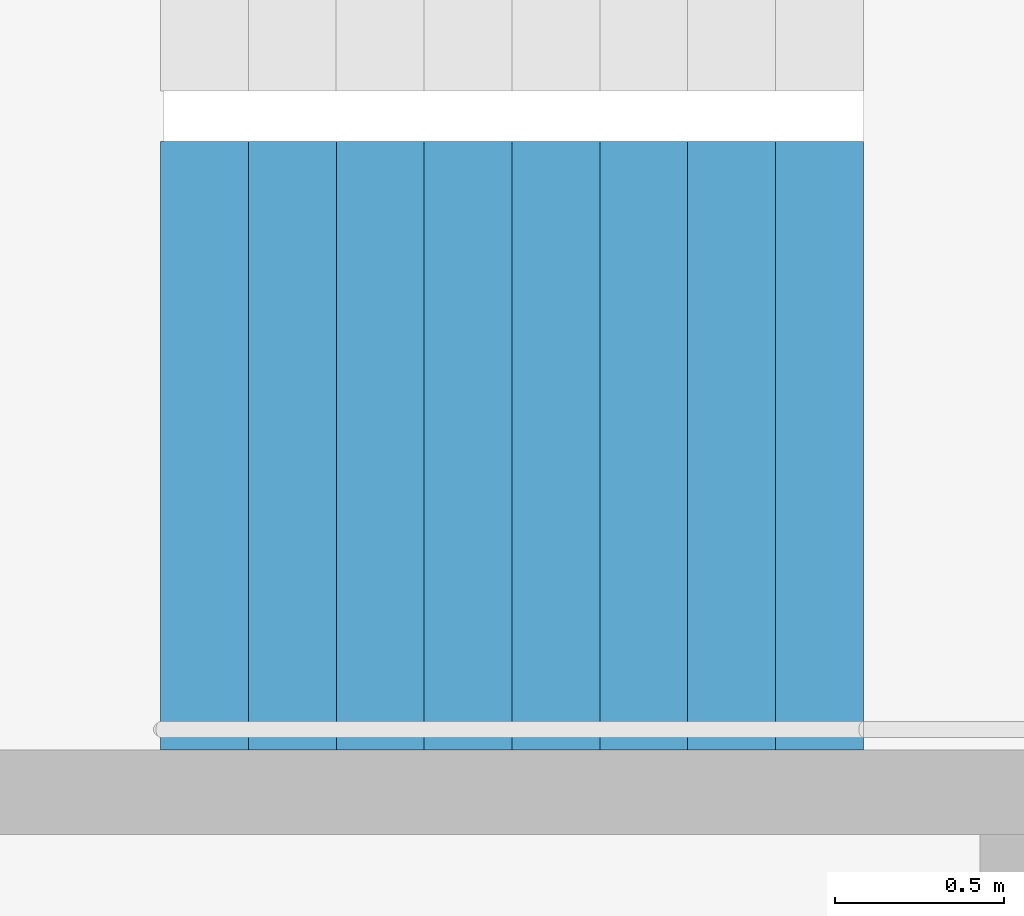
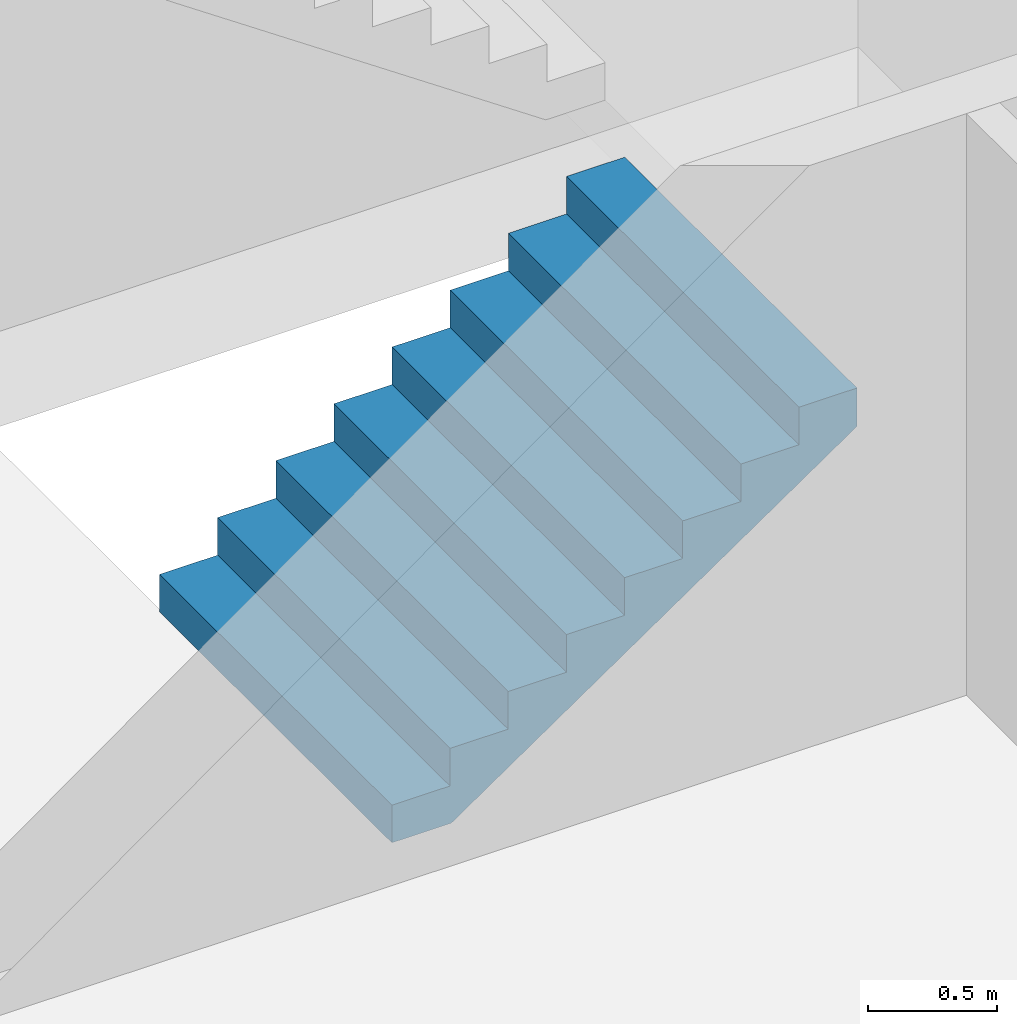
# One storey, part 21 of 27: 1 stair flight, 1 element without a shape of its own.
"""IFC4 building model written with IfcOpenShell, lengths in metres."""

from ifc_helpers import new_model, si_unit, direction, frame, origin, place, context, subcontext, project, spatial, triangles, material, type_object, element, aggregate, save


model = new_model("IFC4")

# Units and contexts
model_context = context("Model", 3, precision=1e-05, world=origin(), true_north=direction((0.0, 1.0)))
body_context = subcontext(model_context, "Body", "Model", "MODEL_VIEW")
ifc_project = project(units=[si_unit("LENGTHUNIT", "METRE"), si_unit("AREAUNIT", "SQUARE_METRE"), si_unit("VOLUMEUNIT", "CUBIC_METRE"), si_unit("PLANEANGLEUNIT", "RADIAN"), si_unit("MASSUNIT", "GRAM", prefix="KILO")], contexts=[model_context])

# Site, building, storey
site_placement = place(None, origin())
site = spatial("IfcSite", under=ifc_project, at=site_placement, CompositionType="ELEMENT")
building_placement = place(site_placement, origin())
building = spatial("IfcBuilding", under=site, at=building_placement, Name="Hakoniwa Tower and Hamabe Station Hall", CompositionType="ELEMENT")
storey_placement = place(building_placement, frame((0.0, 0.0, 242.199951171875)))
storey = spatial("IfcBuildingStorey", under=building, at=storey_placement, Name="L68", CompositionType="ELEMENT", Elevation=242.199951171875)

# Stair, stair flight
ifc_material_1 = material(Name="Concrete C40", Category="concrete")
stair_type = type_object("IfcStairType", Name="ESCAPE STAIR 1800", PredefinedType="HALF_TURN_STAIR", material=ifc_material_1)
stair_placement = place(storey_placement, origin())
stair = element("IfcStair", 1, at=stair_placement, inside=storey, type_object=stair_type, Name="Escape stair ST-1 L68", PredefinedType="HALF_TURN_STAIR")
ifc_material_2 = material(Name="Concrete C40", Category="concrete")
stair_flight_type = type_object("IfcStairFlightType", Name="STAIR FLIGHT 1800", PredefinedType="STRAIGHT", material=ifc_material_2)
stair_flight_placement = place(storey_placement, frame((-24.39990234375, 4.64990234375, 0.0), z_axis=(0.0, 0.0, 1.0), x_axis=(1.0, 0.0, 0.0)))
stair_flight = element("IfcStairFlight", 2, at=stair_flight_placement, type_object=stair_flight_type, Name="ST-1 flight 1", NumberOfRisers=9, NumberOfTreads=8, PredefinedType="STRAIGHT", RiserHeight=0.177777778, TreadLength=0.26, context=body_context, shape_type="Tessellation", body=[
    triangles([(0.0, 0.89990234375, 0.0), (0.260009765625, 0.89990234375, 0.0), (0.265625, 0.89990234375, 0.0), (0.52001953125, 0.89990234375, 0.174072265625), (0.780029296875, 0.89990234375, 0.351806640625), (1.0400390625, 0.89990234375, 0.529541015625), (1.300048828125, 0.89990234375, 0.707275390625), (1.56005859375, 0.89990234375, 0.885009765625), (1.820068359375, 0.89990234375, 1.062744140625), (2.080078125, 0.89990234375, 1.24072265625), (2.080078125, 0.89990234375, 1.422119140625), (1.820068359375, 0.89990234375, 1.422119140625), (1.820068359375, 0.89990234375, 1.244384765625), (1.56005859375, 0.89990234375, 1.244384765625), (1.56005859375, 0.89990234375, 1.066650390625), (1.300048828125, 0.89990234375, 1.066650390625), (1.300048828125, 0.89990234375, 0.888916015625), (1.0400390625, 0.89990234375, 0.888916015625), (1.0400390625, 0.89990234375, 0.711181640625), (0.780029296875, 0.89990234375, 0.711181640625), (0.780029296875, 0.89990234375, 0.533447265625), (0.52001953125, 0.89990234375, 0.533447265625), (0.52001953125, 0.89990234375, 0.35546875), (0.265625, 0.89990234375, 0.35546875), (0.260009765625, 0.89990234375, 0.35546875), (0.260009765625, 0.89990234375, 0.177734375), (0.0, 0.89990234375, 0.177734375), (0.0, 0.06005859375, 0.0), (0.260009765625, 0.06005859375, 0.0), (0.265625, 0.06005859375, 0.0), (0.52001953125, 0.06005859375, 0.174072265625), (0.780029296875, 0.06005859375, 0.351806640625), (1.0400390625, 0.06005859375, 0.529541015625), (1.300048828125, 0.06005859375, 0.707275390625), (1.56005859375, 0.06005859375, 0.885009765625), (1.820068359375, 0.06005859375, 1.062744140625), (2.080078125, 0.06005859375, 1.24072265625), (2.080078125, 0.06005859375, 1.422119140625), (1.820068359375, 0.06005859375, 1.422119140625), (1.820068359375, 0.06005859375, 1.244384765625), (1.56005859375, 0.06005859375, 1.244384765625), (1.56005859375, 0.06005859375, 1.066650390625), (1.300048828125, 0.06005859375, 1.066650390625), (1.300048828125, 0.06005859375, 0.888916015625), (1.0400390625, 0.06005859375, 0.888916015625), (1.0400390625, 0.06005859375, 0.711181640625), (0.780029296875, 0.06005859375, 0.711181640625), (0.780029296875, 0.06005859375, 0.533447265625), (0.52001953125, 0.06005859375, 0.533447265625), (0.52001953125, 0.06005859375, 0.35546875), (0.265625, 0.06005859375, 0.35546875), (0.260009765625, 0.06005859375, 0.35546875), (0.260009765625, 0.06005859375, 0.177734375), (0.0, 0.06005859375, 0.177734375), (0.0, 0.04296875, 0.0), (0.260009765625, 0.04296875, 0.0), (0.265625, 0.04296875, 0.0), (0.52001953125, 0.04296875, 0.174072265625), (0.780029296875, 0.04296875, 0.351806640625), (1.0400390625, 0.04296875, 0.529541015625), (1.300048828125, 0.04296875, 0.707275390625), (1.56005859375, 0.04296875, 0.885009765625), (1.820068359375, 0.04296875, 1.062744140625), (2.080078125, 0.04296875, 1.24072265625), (2.080078125, 0.04296875, 1.422119140625), (1.820068359375, 0.04296875, 1.422119140625), (1.820068359375, 0.04296875, 1.244384765625), (1.56005859375, 0.04296875, 1.244384765625), (1.56005859375, 0.04296875, 1.066650390625), (1.300048828125, 0.04296875, 1.066650390625), (1.300048828125, 0.04296875, 0.888916015625), (1.0400390625, 0.04296875, 0.888916015625), (1.0400390625, 0.04296875, 0.711181640625), (0.780029296875, 0.04296875, 0.711181640625), (0.780029296875, 0.04296875, 0.533447265625), (0.52001953125, 0.04296875, 0.533447265625), (0.52001953125, 0.04296875, 0.35546875), (0.265625, 0.04296875, 0.35546875), (0.260009765625, 0.04296875, 0.35546875), (0.260009765625, 0.04296875, 0.177734375), (0.0, 0.04296875, 0.177734375), (0.0, 0.025634765625, 0.0), (0.260009765625, 0.025634765625, 0.0), (0.265625, 0.025634765625, 0.0), (0.52001953125, 0.025634765625, 0.174072265625), (0.780029296875, 0.025634765625, 0.351806640625), (1.0400390625, 0.025634765625, 0.529541015625), (1.300048828125, 0.025634765625, 0.707275390625), (1.56005859375, 0.025634765625, 0.885009765625), (1.820068359375, 0.025634765625, 1.062744140625), (2.080078125, 0.025634765625, 1.24072265625), (2.080078125, 0.025634765625, 1.422119140625), (1.820068359375, 0.025634765625, 1.422119140625), (1.820068359375, 0.025634765625, 1.244384765625), (1.56005859375, 0.025634765625, 1.244384765625), (1.56005859375, 0.025634765625, 1.066650390625), (1.300048828125, 0.025634765625, 1.066650390625), (1.300048828125, 0.025634765625, 0.888916015625), (1.0400390625, 0.025634765625, 0.888916015625), (1.0400390625, 0.025634765625, 0.711181640625), (0.780029296875, 0.025634765625, 0.711181640625), (0.780029296875, 0.025634765625, 0.533447265625), (0.52001953125, 0.025634765625, 0.533447265625), (0.52001953125, 0.025634765625, 0.35546875), (0.265625, 0.025634765625, 0.35546875), (0.260009765625, 0.025634765625, 0.35546875), (0.260009765625, 0.025634765625, 0.177734375), (0.0, 0.025634765625, 0.177734375), (0.0, 0.008544921875, 0.0), (0.260009765625, 0.008544921875, 0.0), (0.265625, 0.008544921875, 0.0), (0.52001953125, 0.008544921875, 0.174072265625), (0.780029296875, 0.008544921875, 0.351806640625), (1.0400390625, 0.008544921875, 0.529541015625), (1.300048828125, 0.008544921875, 0.707275390625), (1.56005859375, 0.008544921875, 0.885009765625), (1.820068359375, 0.008544921875, 1.062744140625), (2.080078125, 0.008544921875, 1.24072265625), (2.080078125, 0.008544921875, 1.422119140625), (1.820068359375, 0.008544921875, 1.422119140625), (1.820068359375, 0.008544921875, 1.244384765625), (1.56005859375, 0.008544921875, 1.244384765625), (1.56005859375, 0.008544921875, 1.066650390625), (1.300048828125, 0.008544921875, 1.066650390625), (1.300048828125, 0.008544921875, 0.888916015625), (1.0400390625, 0.008544921875, 0.888916015625), (1.0400390625, 0.008544921875, 0.711181640625), (0.780029296875, 0.008544921875, 0.711181640625), (0.780029296875, 0.008544921875, 0.533447265625), (0.52001953125, 0.008544921875, 0.533447265625), (0.52001953125, 0.008544921875, 0.35546875), (0.265625, 0.008544921875, 0.35546875), (0.260009765625, 0.008544921875, 0.35546875), (0.260009765625, 0.008544921875, 0.177734375), (0.0, 0.008544921875, 0.177734375), (0.0, -0.008544921875, 0.0), (0.260009765625, -0.008544921875, 0.0), (0.265625, -0.008544921875, 0.0), (0.52001953125, -0.008544921875, 0.174072265625), (0.780029296875, -0.008544921875, 0.351806640625), (1.0400390625, -0.008544921875, 0.529541015625), (1.300048828125, -0.008544921875, 0.707275390625), (1.56005859375, -0.008544921875, 0.885009765625), (1.820068359375, -0.008544921875, 1.062744140625), (2.080078125, -0.008544921875, 1.24072265625), (2.080078125, -0.008544921875, 1.422119140625), (1.820068359375, -0.008544921875, 1.422119140625), (1.820068359375, -0.008544921875, 1.244384765625), (1.56005859375, -0.008544921875, 1.244384765625), (1.56005859375, -0.008544921875, 1.066650390625), (1.300048828125, -0.008544921875, 1.066650390625), (1.300048828125, -0.008544921875, 0.888916015625), (1.0400390625, -0.008544921875, 0.888916015625), (1.0400390625, -0.008544921875, 0.711181640625), (0.780029296875, -0.008544921875, 0.711181640625), (0.780029296875, -0.008544921875, 0.533447265625), (0.52001953125, -0.008544921875, 0.533447265625), (0.52001953125, -0.008544921875, 0.35546875), (0.265625, -0.008544921875, 0.35546875), (0.260009765625, -0.008544921875, 0.35546875), (0.260009765625, -0.008544921875, 0.177734375), (0.0, -0.008544921875, 0.177734375), (0.0, -0.025634765625, 0.0), (0.260009765625, -0.025634765625, 0.0), (0.265625, -0.025634765625, 0.0), (0.52001953125, -0.025634765625, 0.174072265625), (0.780029296875, -0.025634765625, 0.351806640625), (1.0400390625, -0.025634765625, 0.529541015625), (1.300048828125, -0.025634765625, 0.707275390625), (1.56005859375, -0.025634765625, 0.885009765625), (1.820068359375, -0.025634765625, 1.062744140625), (2.080078125, -0.025634765625, 1.24072265625), (2.080078125, -0.025634765625, 1.422119140625), (1.820068359375, -0.025634765625, 1.422119140625), (1.820068359375, -0.025634765625, 1.244384765625), (1.56005859375, -0.025634765625, 1.244384765625), (1.56005859375, -0.025634765625, 1.066650390625), (1.300048828125, -0.025634765625, 1.066650390625), (1.300048828125, -0.025634765625, 0.888916015625), (1.0400390625, -0.025634765625, 0.888916015625), (1.0400390625, -0.025634765625, 0.711181640625), (0.780029296875, -0.025634765625, 0.711181640625), (0.780029296875, -0.025634765625, 0.533447265625), (0.52001953125, -0.025634765625, 0.533447265625), (0.52001953125, -0.025634765625, 0.35546875), (0.265625, -0.025634765625, 0.35546875), (0.260009765625, -0.025634765625, 0.35546875), (0.260009765625, -0.025634765625, 0.177734375), (0.0, -0.025634765625, 0.177734375), (0.0, -0.04296875, 0.0), (0.260009765625, -0.04296875, 0.0), (0.265625, -0.04296875, 0.0), (0.52001953125, -0.04296875, 0.174072265625), (0.780029296875, -0.04296875, 0.351806640625), (1.0400390625, -0.04296875, 0.529541015625), (1.300048828125, -0.04296875, 0.707275390625), (1.56005859375, -0.04296875, 0.885009765625), (1.820068359375, -0.04296875, 1.062744140625), (2.080078125, -0.04296875, 1.24072265625), (2.080078125, -0.04296875, 1.422119140625), (1.820068359375, -0.04296875, 1.422119140625), (1.820068359375, -0.04296875, 1.244384765625), (1.56005859375, -0.04296875, 1.244384765625), (1.56005859375, -0.04296875, 1.066650390625), (1.300048828125, -0.04296875, 1.066650390625), (1.300048828125, -0.04296875, 0.888916015625), (1.0400390625, -0.04296875, 0.888916015625), (1.0400390625, -0.04296875, 0.711181640625), (0.780029296875, -0.04296875, 0.711181640625), (0.780029296875, -0.04296875, 0.533447265625), (0.52001953125, -0.04296875, 0.533447265625), (0.52001953125, -0.04296875, 0.35546875), (0.265625, -0.04296875, 0.35546875), (0.260009765625, -0.04296875, 0.35546875), (0.260009765625, -0.04296875, 0.177734375), (0.0, -0.04296875, 0.177734375), (0.0, -0.06005859375, 0.0), (0.260009765625, -0.06005859375, 0.0), (0.265625, -0.06005859375, 0.0), (0.52001953125, -0.06005859375, 0.174072265625), (0.780029296875, -0.06005859375, 0.351806640625), (1.0400390625, -0.06005859375, 0.529541015625), (1.300048828125, -0.06005859375, 0.707275390625), (1.56005859375, -0.06005859375, 0.885009765625), (1.820068359375, -0.06005859375, 1.062744140625), (2.080078125, -0.06005859375, 1.24072265625), (2.080078125, -0.06005859375, 1.422119140625), (1.820068359375, -0.06005859375, 1.422119140625), (1.820068359375, -0.06005859375, 1.244384765625), (1.56005859375, -0.06005859375, 1.244384765625), (1.56005859375, -0.06005859375, 1.066650390625), (1.300048828125, -0.06005859375, 1.066650390625), (1.300048828125, -0.06005859375, 0.888916015625), (1.0400390625, -0.06005859375, 0.888916015625), (1.0400390625, -0.06005859375, 0.711181640625), (0.780029296875, -0.06005859375, 0.711181640625), (0.780029296875, -0.06005859375, 0.533447265625), (0.52001953125, -0.06005859375, 0.533447265625), (0.52001953125, -0.06005859375, 0.35546875), (0.265625, -0.06005859375, 0.35546875), (0.260009765625, -0.06005859375, 0.35546875), (0.260009765625, -0.06005859375, 0.177734375), (0.0, -0.06005859375, 0.177734375), (0.0, -0.89990234375, 0.0), (0.260009765625, -0.89990234375, 0.0), (0.265625, -0.89990234375, 0.0), (0.52001953125, -0.89990234375, 0.174072265625), (0.780029296875, -0.89990234375, 0.351806640625), (1.0400390625, -0.89990234375, 0.529541015625), (1.300048828125, -0.89990234375, 0.707275390625), (1.56005859375, -0.89990234375, 0.885009765625), (1.820068359375, -0.89990234375, 1.062744140625), (2.080078125, -0.89990234375, 1.24072265625), (2.080078125, -0.89990234375, 1.422119140625), (1.820068359375, -0.89990234375, 1.422119140625), (1.820068359375, -0.89990234375, 1.244384765625), (1.56005859375, -0.89990234375, 1.244384765625), (1.56005859375, -0.89990234375, 1.066650390625), (1.300048828125, -0.89990234375, 1.066650390625), (1.300048828125, -0.89990234375, 0.888916015625), (1.0400390625, -0.89990234375, 0.888916015625), (1.0400390625, -0.89990234375, 0.711181640625), (0.780029296875, -0.89990234375, 0.711181640625), (0.780029296875, -0.89990234375, 0.533447265625), (0.52001953125, -0.89990234375, 0.533447265625), (0.52001953125, -0.89990234375, 0.35546875), (0.265625, -0.89990234375, 0.35546875), (0.260009765625, -0.89990234375, 0.35546875), (0.260009765625, -0.89990234375, 0.177734375), (0.0, -0.89990234375, 0.177734375)], [[2, 27, 26], [245, 269, 270], [2, 1, 27], [245, 270, 244], [3, 25, 24], [246, 267, 268], [3, 26, 25], [246, 268, 269], [3, 2, 26], [246, 269, 245], [4, 24, 23], [247, 266, 267], [4, 3, 24], [247, 267, 246], [5, 22, 21], [248, 264, 265], [5, 23, 22], [248, 265, 266], [5, 4, 23], [248, 266, 247], [6, 20, 19], [249, 262, 263], [6, 21, 20], [249, 263, 264], [6, 5, 21], [249, 264, 248], [7, 18, 17], [250, 260, 261], [7, 19, 18], [250, 261, 262], [7, 6, 19], [250, 262, 249], [8, 16, 15], [251, 258, 259], [8, 17, 16], [251, 259, 260], [8, 7, 17], [251, 260, 250], [9, 14, 13], [252, 256, 257], [9, 15, 14], [252, 257, 258], [9, 8, 15], [252, 258, 251], [10, 12, 11], [253, 254, 255], [10, 13, 12], [253, 255, 256], [10, 9, 13], [253, 256, 252], [1, 2, 29], [1, 29, 28], [28, 29, 56], [28, 56, 55], [55, 56, 83], [55, 83, 82], [82, 83, 110], [82, 110, 109], [109, 110, 137], [109, 137, 136], [136, 137, 164], [136, 164, 163], [163, 164, 191], [163, 191, 190], [190, 191, 218], [190, 218, 217], [217, 218, 245], [217, 245, 244], [2, 3, 30], [2, 30, 29], [29, 30, 57], [29, 57, 56], [56, 57, 84], [56, 84, 83], [83, 84, 111], [83, 111, 110], [110, 111, 138], [110, 138, 137], [137, 138, 165], [137, 165, 164], [164, 165, 192], [164, 192, 191], [191, 192, 219], [191, 219, 218], [218, 219, 246], [218, 246, 245], [3, 4, 31], [3, 31, 30], [30, 31, 58], [30, 58, 57], [57, 58, 85], [57, 85, 84], [84, 85, 112], [84, 112, 111], [111, 112, 139], [111, 139, 138], [138, 139, 166], [138, 166, 165], [165, 166, 193], [165, 193, 192], [192, 193, 220], [192, 220, 219], [219, 220, 247], [219, 247, 246], [4, 5, 32], [4, 32, 31], [31, 32, 59], [31, 59, 58], [58, 59, 86], [58, 86, 85], [85, 86, 113], [85, 113, 112], [112, 113, 140], [112, 140, 139], [139, 140, 167], [139, 167, 166], [166, 167, 194], [166, 194, 193], [193, 194, 221], [193, 221, 220], [220, 221, 248], [220, 248, 247], [5, 6, 33], [5, 33, 32], [32, 33, 60], [32, 60, 59], [59, 60, 87], [59, 87, 86], [86, 87, 114], [86, 114, 113], [113, 114, 141], [113, 141, 140], [140, 141, 168], [140, 168, 167], [167, 168, 195], [167, 195, 194], [194, 195, 222], [194, 222, 221], [221, 222, 249], [221, 249, 248], [6, 7, 34], [6, 34, 33], [33, 34, 61], [33, 61, 60], [60, 61, 88], [60, 88, 87], [87, 88, 115], [87, 115, 114], [114, 115, 142], [114, 142, 141], [141, 142, 169], [141, 169, 168], [168, 169, 196], [168, 196, 195], [195, 196, 223], [195, 223, 222], [222, 223, 250], [222, 250, 249], [7, 8, 35], [7, 35, 34], [34, 35, 62], [34, 62, 61], [61, 62, 89], [61, 89, 88], [88, 89, 116], [88, 116, 115], [115, 116, 143], [115, 143, 142], [142, 143, 170], [142, 170, 169], [169, 170, 197], [169, 197, 196], [196, 197, 224], [196, 224, 223], [223, 224, 251], [223, 251, 250], [8, 9, 36], [8, 36, 35], [35, 36, 63], [35, 63, 62], [62, 63, 90], [62, 90, 89], [89, 90, 117], [89, 117, 116], [116, 117, 144], [116, 144, 143], [143, 144, 171], [143, 171, 170], [170, 171, 198], [170, 198, 197], [197, 198, 225], [197, 225, 224], [224, 225, 252], [224, 252, 251], [9, 10, 37], [9, 37, 36], [36, 37, 64], [36, 64, 63], [63, 64, 91], [63, 91, 90], [90, 91, 118], [90, 118, 117], [117, 118, 145], [117, 145, 144], [144, 145, 172], [144, 172, 171], [171, 172, 199], [171, 199, 198], [198, 199, 226], [198, 226, 225], [225, 226, 253], [225, 253, 252], [10, 11, 38], [10, 38, 37], [37, 38, 65], [37, 65, 64], [64, 65, 92], [64, 92, 91], [91, 92, 119], [91, 119, 118], [118, 119, 146], [118, 146, 145], [145, 146, 173], [145, 173, 172], [172, 173, 200], [172, 200, 199], [199, 200, 227], [199, 227, 226], [226, 227, 254], [226, 254, 253], [11, 12, 39], [11, 39, 38], [38, 39, 66], [38, 66, 65], [65, 66, 93], [65, 93, 92], [92, 93, 120], [92, 120, 119], [119, 120, 147], [119, 147, 146], [146, 147, 174], [146, 174, 173], [173, 174, 201], [173, 201, 200], [200, 201, 228], [200, 228, 227], [227, 228, 255], [227, 255, 254], [12, 13, 40], [12, 40, 39], [39, 40, 67], [39, 67, 66], [66, 67, 94], [66, 94, 93], [93, 94, 121], [93, 121, 120], [120, 121, 148], [120, 148, 147], [147, 148, 175], [147, 175, 174], [174, 175, 202], [174, 202, 201], [201, 202, 229], [201, 229, 228], [228, 229, 256], [228, 256, 255], [13, 14, 41], [13, 41, 40], [40, 41, 68], [40, 68, 67], [67, 68, 95], [67, 95, 94], [94, 95, 122], [94, 122, 121], [121, 122, 149], [121, 149, 148], [148, 149, 176], [148, 176, 175], [175, 176, 203], [175, 203, 202], [202, 203, 230], [202, 230, 229], [229, 230, 257], [229, 257, 256], [14, 15, 42], [14, 42, 41], [41, 42, 69], [41, 69, 68], [68, 69, 96], [68, 96, 95], [95, 96, 123], [95, 123, 122], [122, 123, 150], [122, 150, 149], [149, 150, 177], [149, 177, 176], [176, 177, 204], [176, 204, 203], [203, 204, 231], [203, 231, 230], [230, 231, 258], [230, 258, 257], [15, 16, 43], [15, 43, 42], [42, 43, 70], [42, 70, 69], [69, 70, 97], [69, 97, 96], [96, 97, 124], [96, 124, 123], [123, 124, 151], [123, 151, 150], [150, 151, 178], [150, 178, 177], [177, 178, 205], [177, 205, 204], [204, 205, 232], [204, 232, 231], [231, 232, 259], [231, 259, 258], [16, 17, 44], [16, 44, 43], [43, 44, 71], [43, 71, 70], [70, 71, 98], [70, 98, 97], [97, 98, 125], [97, 125, 124], [124, 125, 152], [124, 152, 151], [151, 152, 179], [151, 179, 178], [178, 179, 206], [178, 206, 205], [205, 206, 233], [205, 233, 232], [232, 233, 260], [232, 260, 259], [17, 18, 45], [17, 45, 44], [44, 45, 72], [44, 72, 71], [71, 72, 99], [71, 99, 98], [98, 99, 126], [98, 126, 125], [125, 126, 153], [125, 153, 152], [152, 153, 180], [152, 180, 179], [179, 180, 207], [179, 207, 206], [206, 207, 234], [206, 234, 233], [233, 234, 261], [233, 261, 260], [18, 19, 46], [18, 46, 45], [45, 46, 73], [45, 73, 72], [72, 73, 100], [72, 100, 99], [99, 100, 127], [99, 127, 126], [126, 127, 154], [126, 154, 153], [153, 154, 181], [153, 181, 180], [180, 181, 208], [180, 208, 207], [207, 208, 235], [207, 235, 234], [234, 235, 262], [234, 262, 261], [19, 20, 47], [19, 47, 46], [46, 47, 74], [46, 74, 73], [73, 74, 101], [73, 101, 100], [100, 101, 128], [100, 128, 127], [127, 128, 155], [127, 155, 154], [154, 155, 182], [154, 182, 181], [181, 182, 209], [181, 209, 208], [208, 209, 236], [208, 236, 235], [235, 236, 263], [235, 263, 262], [20, 21, 48], [20, 48, 47], [47, 48, 75], [47, 75, 74], [74, 75, 102], [74, 102, 101], [101, 102, 129], [101, 129, 128], [128, 129, 156], [128, 156, 155], [155, 156, 183], [155, 183, 182], [182, 183, 210], [182, 210, 209], [209, 210, 237], [209, 237, 236], [236, 237, 264], [236, 264, 263], [21, 22, 49], [21, 49, 48], [48, 49, 76], [48, 76, 75], [75, 76, 103], [75, 103, 102], [102, 103, 130], [102, 130, 129], [129, 130, 157], [129, 157, 156], [156, 157, 184], [156, 184, 183], [183, 184, 211], [183, 211, 210], [210, 211, 238], [210, 238, 237], [237, 238, 265], [237, 265, 264], [22, 23, 50], [22, 50, 49], [49, 50, 77], [49, 77, 76], [76, 77, 104], [76, 104, 103], [103, 104, 131], [103, 131, 130], [130, 131, 158], [130, 158, 157], [157, 158, 185], [157, 185, 184], [184, 185, 212], [184, 212, 211], [211, 212, 239], [211, 239, 238], [238, 239, 266], [238, 266, 265], [23, 24, 51], [23, 51, 50], [50, 51, 78], [50, 78, 77], [77, 78, 105], [77, 105, 104], [104, 105, 132], [104, 132, 131], [131, 132, 159], [131, 159, 158], [158, 159, 186], [158, 186, 185], [185, 186, 213], [185, 213, 212], [212, 213, 240], [212, 240, 239], [239, 240, 267], [239, 267, 266], [24, 25, 52], [24, 52, 51], [51, 52, 79], [51, 79, 78], [78, 79, 106], [78, 106, 105], [105, 106, 133], [105, 133, 132], [132, 133, 160], [132, 160, 159], [159, 160, 187], [159, 187, 186], [186, 187, 214], [186, 214, 213], [213, 214, 241], [213, 241, 240], [240, 241, 268], [240, 268, 267], [25, 26, 53], [25, 53, 52], [52, 53, 80], [52, 80, 79], [79, 80, 107], [79, 107, 106], [106, 107, 134], [106, 134, 133], [133, 134, 161], [133, 161, 160], [160, 161, 188], [160, 188, 187], [187, 188, 215], [187, 215, 214], [214, 215, 242], [214, 242, 241], [241, 242, 269], [241, 269, 268], [26, 27, 54], [26, 54, 53], [53, 54, 81], [53, 81, 80], [80, 81, 108], [80, 108, 107], [107, 108, 135], [107, 135, 134], [134, 135, 162], [134, 162, 161], [161, 162, 189], [161, 189, 188], [188, 189, 216], [188, 216, 215], [215, 216, 243], [215, 243, 242], [242, 243, 270], [242, 270, 269], [27, 1, 28], [27, 28, 54], [54, 28, 55], [54, 55, 81], [81, 55, 82], [81, 82, 108], [108, 82, 109], [108, 109, 135], [135, 109, 136], [135, 136, 162], [162, 136, 163], [162, 163, 189], [189, 163, 190], [189, 190, 216], [216, 190, 217], [216, 217, 243], [243, 217, 244], [243, 244, 270]], closed=True),
])
aggregate(stair, [stair_flight])

save(model, "model.ifc")
